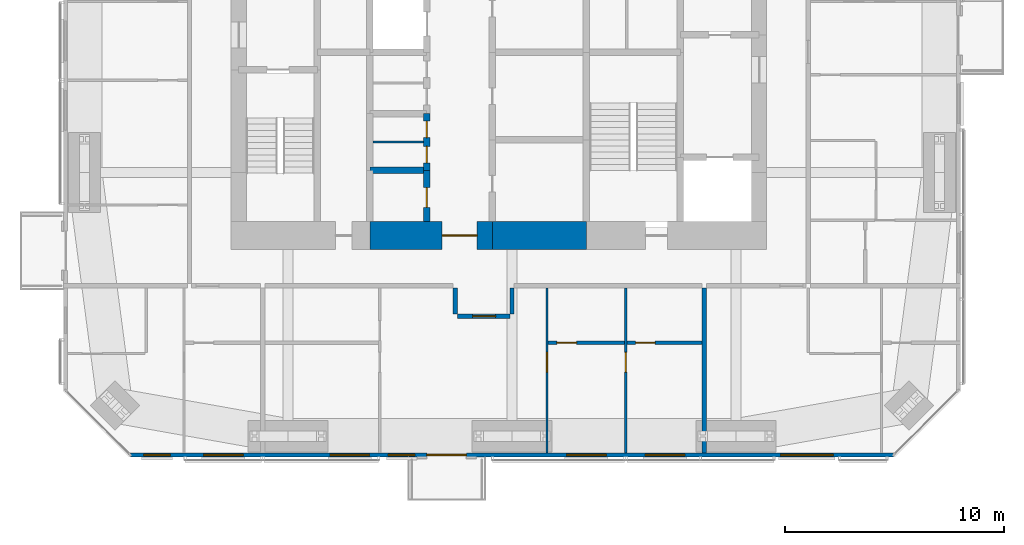
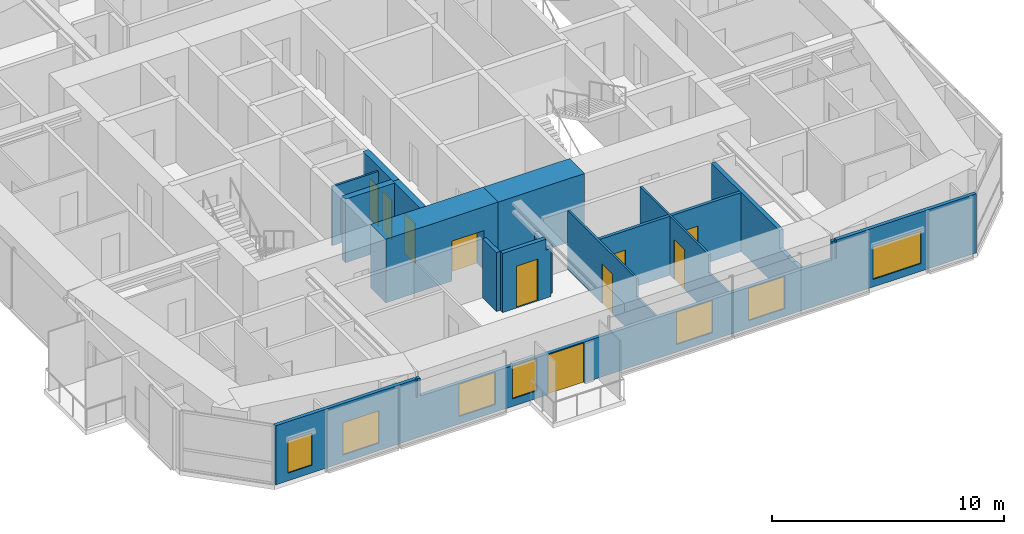
# One storey, part 16 of 23: 15 walls, 10 doors, 7 windows, 17 openings.
"""IFC4 building model written with IfcOpenShell, lengths in metres."""

from ifc_helpers import new_model, si_unit, direction, frame, frame_2d, origin, place, context, subcontext, project, spatial, polyline, rectangle, outline, extrude, material, layer, layer_set, constituent, constituent_set, type_object, element, fill, save


model = new_model("IFC4")

# Units and contexts
model_context = context("Model", 3, precision=1e-05, world=origin(), true_north=direction((0.0, 1.0)))
body_context = subcontext(model_context, "Body", "Model", "MODEL_VIEW")
ifc_project = project(units=[si_unit("LENGTHUNIT", "METRE"), si_unit("AREAUNIT", "SQUARE_METRE"), si_unit("VOLUMEUNIT", "CUBIC_METRE"), si_unit("PLANEANGLEUNIT", "RADIAN"), si_unit("MASSUNIT", "GRAM", prefix="KILO")], contexts=[model_context])

# Site, building, storey
site_placement = place(None, origin())
site = spatial("IfcSite", under=ifc_project, at=site_placement, CompositionType="ELEMENT")
building_placement = place(site_placement, origin())
building = spatial("IfcBuilding", under=site, at=building_placement, Name="Jalousie Tower", CompositionType="ELEMENT")
storey_placement = place(building_placement, frame((0.0, 0.0, 194.550048828125)))
storey = spatial("IfcBuildingStorey", under=building, at=storey_placement, Name="L53", CompositionType="ELEMENT", Elevation=194.550048828125)

# Wall, opening, door
ifc_material_1 = material(Name="Concrete block ASTM C90", Category="concrete")
ifc_constituent_1 = constituent(ifc_material_1, Name="Body")
ifc_material_2 = material(Name="Render")
ifc_constituent_2 = constituent(ifc_material_2, Name="Finish")
ifc_constituent_set_1 = constituent_set(constituents=[ifc_constituent_1, ifc_constituent_2])
wall_type_1 = type_object("IfcWallType", Name="BATHROOM WALL 150", PredefinedType="PLUMBINGWALL", material=ifc_constituent_set_1)
wall_1_placement = place(storey_placement, frame((34.14990234375, 5.22509765625, 0.0), z_axis=(0.0, 0.0, 1.0), x_axis=(1.0, 0.0, 0.0)))
wall_1 = element("IfcWall", 1, at=wall_1_placement, inside=storey, type_object=wall_type_1, Name="Bathroom Wall 150 L53", PredefinedType="PLUMBINGWALL", context=body_context, shape_type="SweptSolid", body=[
    extrude(rectangle(XDim=3.5, YDim=0.14990234375, at=frame_2d((1.75, 0.0))), origin(), (0.0, 0.0, 1.0), 3.10986328125),
])
opening_1_placement = place(wall_1_placement, frame((0.39990234375, 0.0, 0.0)))
opening_1 = element("IfcOpeningElement", 2, at=opening_1_placement, cuts=wall_1, Name="Opening D3", PredefinedType="OPENING", context=body_context, shape_type="SweptSolid", body=[
    extrude(rectangle(XDim=0.89990234375, YDim=2.10009765625, at=frame_2d((0.449951171875, 1.050048828125))), frame((0.0, 0.0849609375, 0.0), z_axis=(0.0, -1.0, 0.0), x_axis=(1.0, 0.0, 0.0)), (0.0, 0.0, 1.0), 0.169921875),
])
ifc_material_3 = material(Name="Timber door", Category="wood")
door_type_1 = type_object("IfcDoorType", Name="BATHROOM DOOR 900", OperationType="SINGLE_SWING_LEFT", PredefinedType="DOOR", material=ifc_material_3)
door_1_placement = place(opening_1_placement, origin())
door_1 = element("IfcDoor", 3, at=door_1_placement, inside=storey, type_object=door_type_1, Name="Apartment 5302 bedroom 2 bathroom door", OperationType="SINGLE_SWING_LEFT", OverallHeight=2.10009765625, OverallWidth=0.89990234375, PredefinedType="DOOR", context=body_context, shape_type="SweptSolid", body=[
    extrude(rectangle(XDim=0.89990234375, YDim=2.10009765625, at=frame_2d((0.449951171875, 1.050048828125))), frame((0.0, 0.02490234375, 0.0), z_axis=(0.0, -1.0, 0.0), x_axis=(1.0, 0.0, 0.0)), (0.0, 0.0, 1.0), 0.050048828125),
])
fill(opening_1, door_1)

wall_2_placement = place(storey_placement, frame((37.75, 5.22509765625, 0.0), z_axis=(0.0, 0.0, 1.0), x_axis=(1.0, 0.0, 0.0)))
wall_2 = element("IfcWall", 4, at=wall_2_placement, inside=storey, type_object=wall_type_1, Name="Bathroom Wall 150 L53", PredefinedType="PLUMBINGWALL", context=body_context, shape_type="SweptSolid", body=[
    extrude(rectangle(XDim=3.449951171875, YDim=0.14990234375, at=frame_2d((1.72509765625, 0.0))), origin(), (0.0, 0.0, 1.0), 3.10986328125),
])
opening_2_placement = place(wall_2_placement, frame((0.39990234375, 0.0, 0.0)))
opening_2 = element("IfcOpeningElement", 5, at=opening_2_placement, cuts=wall_2, Name="Opening D3", PredefinedType="OPENING", context=body_context, shape_type="SweptSolid", body=[
    extrude(rectangle(XDim=0.89990234375, YDim=2.10009765625, at=frame_2d((0.449951171875, 1.050048828125))), frame((0.0, 0.0849609375, 0.0), z_axis=(0.0, -1.0, 0.0), x_axis=(1.0, 0.0, 0.0)), (0.0, 0.0, 1.0), 0.169921875),
])
door_2_placement = place(opening_2_placement, origin())
door_2 = element("IfcDoor", 6, at=door_2_placement, inside=storey, type_object=door_type_1, Name="Apartment 5302 bedroom 3 bathroom door", OperationType="SINGLE_SWING_LEFT", OverallHeight=2.10009765625, OverallWidth=0.89990234375, PredefinedType="DOOR", context=body_context, shape_type="SweptSolid", body=[
    extrude(rectangle(XDim=0.89990234375, YDim=2.10009765625, at=frame_2d((0.449951171875, 1.050048828125))), frame((0.0, 0.02490234375, 0.0), z_axis=(0.0, -1.0, 0.0), x_axis=(1.0, 0.0, 0.0)), (0.0, 0.0, 1.0), 0.050048828125),
])
fill(opening_2, door_2)

ifc_material_4 = material(Name="Concrete f'c 120 MPa", Category="concrete")
ifc_layer_1 = layer(ifc_material_4, 1.300048828125)
ifc_layer_set_1 = layer_set([ifc_layer_1], Name="Concrete f'c 120 MPa")
wall_type_2 = type_object("IfcWallType", Name="CORE WALL 1300", PredefinedType="SHEAR", material=ifc_layer_set_1)
wall_3_placement = place(storey_placement, frame((26.0, 10.125, 0.0), z_axis=(0.0, 0.0, 1.0), x_axis=(1.0, 0.0, 0.0)))
wall_3 = element("IfcWall", 7, at=wall_3_placement, inside=storey, type_object=wall_type_2, Name="Core wall SB L53", PredefinedType="SHEAR", context=body_context, shape_type="SweptSolid", body=[
    extrude(rectangle(XDim=5.60009765625, YDim=1.300048828125, at=frame_2d((2.800048828125, 0.0))), origin(), (0.0, 0.0, 1.0), 3.349853515625),
])
opening_3_placement = place(wall_3_placement, frame((3.300048828125, 0.0, 0.0)))
opening_3 = element("IfcOpeningElement", 8, at=opening_3_placement, cuts=wall_3, Name="Opening D15", PredefinedType="OPENING", context=body_context, shape_type="SweptSolid", body=[
    extrude(rectangle(XDim=1.60009765625, YDim=2.10009765625, at=frame_2d((0.800048828125, 1.050048828125))), frame((0.0, 0.659912109375, 0.0), z_axis=(0.0, -1.0, 0.0), x_axis=(1.0, 0.0, 0.0)), (0.0, 0.0, 1.0), 1.320068359375),
])
ifc_material_5 = material(Name="Steel fire door", Category="steel")
door_type_2 = type_object("IfcDoorType", Name="LIFT LOBBY DOOR 1600", OperationType="DOUBLE_DOOR_SINGLE_SWING", PredefinedType="DOOR", material=ifc_material_5)
door_3_placement = place(opening_3_placement, origin())
door_3 = element("IfcDoor", 9, at=door_3_placement, inside=storey, type_object=door_type_2, Name="Lift lobby south door", OperationType="DOUBLE_DOOR_SINGLE_SWING", OverallHeight=2.10009765625, OverallWidth=1.60009765625, PredefinedType="DOOR", context=body_context, shape_type="SweptSolid", body=[
    extrude(rectangle(XDim=1.60009765625, YDim=2.10009765625, at=frame_2d((0.800048828125, 1.050048828125))), frame((0.0, 0.02490234375, 0.0), z_axis=(0.0, -1.0, 0.0), x_axis=(1.0, 0.0, 0.0)), (0.0, 0.0, 1.0), 0.050048828125),
])
fill(opening_3, door_3)

# Wall
wall_4_placement = place(storey_placement, frame((31.60009765625, 10.125, 0.0), z_axis=(0.0, 0.0, 1.0), x_axis=(1.0, 0.0, 0.0)))
element("IfcWall", 10, at=wall_4_placement, inside=storey, type_object=wall_type_2, Name="Core wall SC L53", PredefinedType="SHEAR", context=body_context, shape_type="SweptSolid", body=[
    extrude(rectangle(XDim=4.2998046875, YDim=1.300048828125, at=frame_2d((2.14990234375, 0.0))), origin(), (0.0, 0.0, 1.0), 3.349853515625),
])

# Wall, opening, door
ifc_material_6 = material(Name="Concrete f'c 120 MPa", Category="concrete")
ifc_layer_2 = layer(ifc_material_6, 0.300048828125)
ifc_layer_set_2 = layer_set([ifc_layer_2], Name="Concrete f'c 120 MPa")
wall_type_3 = type_object("IfcWallType", Name="CORE WALL 300", PredefinedType="SHEAR", material=ifc_layer_set_2)
wall_5_placement = place(storey_placement, frame((28.60009765625, 10.77490234375, 0.0), z_axis=(0.0, 0.0, 1.0), x_axis=(0.0, 1.0, 0.0)))
wall_5 = element("IfcWall", 11, at=wall_5_placement, inside=storey, type_object=wall_type_3, Name="Core wall X28.6A L53", PredefinedType="SHEAR", context=body_context, shape_type="SweptSolid", body=[
    extrude(rectangle(XDim=2.3251953125, YDim=0.300048828125, at=frame_2d((1.16259765625, 0.0))), origin(), (0.0, 0.0, 1.0), 3.349853515625),
])
opening_4_placement = place(wall_5_placement, frame((0.637451171875, 0.0, 0.0)))
opening_4 = element("IfcOpeningElement", 12, at=opening_4_placement, cuts=wall_5, Name="Opening D24", PredefinedType="OPENING", context=body_context, shape_type="SweptSolid", body=[
    extrude(rectangle(XDim=0.89990234375, YDim=2.10009765625, at=frame_2d((0.449951171875, 1.050048828125))), frame((0.0, 0.159912109375, 0.0), z_axis=(0.0, -1.0, 0.0), x_axis=(1.0, 0.0, 0.0)), (0.0, 0.0, 1.0), 0.320068359375),
])
ifc_material_7 = material(Name="Steel fire door", Category="steel")
door_type_3 = type_object("IfcDoorType", Name="CORE ROOM DOOR 900", OperationType="SINGLE_SWING_LEFT", PredefinedType="DOOR", material=ifc_material_7)
door_4_placement = place(opening_4_placement, origin())
door_4 = element("IfcDoor", 13, at=door_4_placement, inside=storey, type_object=door_type_3, Name="Pantry door", OperationType="SINGLE_SWING_RIGHT", OverallHeight=2.10009765625, OverallWidth=0.89990234375, PredefinedType="DOOR", context=body_context, shape_type="SweptSolid", body=[
    extrude(rectangle(XDim=0.89990234375, YDim=2.10009765625, at=frame_2d((0.449951171875, 1.050048828125))), frame((0.0, 0.02490234375, 0.0), z_axis=(0.0, -1.0, 0.0), x_axis=(1.0, 0.0, 0.0)), (0.0, 0.0, 1.0), 0.050048828125),
])
fill(opening_4, door_4)

# Wall, openings, doors
wall_6_placement = place(storey_placement, frame((28.60009765625, 13.10009765625, 0.0), z_axis=(0.0, 0.0, 1.0), x_axis=(0.0, 1.0, 0.0)))
wall_6 = element("IfcWall", 14, at=wall_6_placement, inside=storey, type_object=wall_type_3, Name="Core wall X28.6B L53", PredefinedType="SHEAR", context=body_context, shape_type="SweptSolid", body=[
    extrude(rectangle(XDim=2.599853515625, YDim=0.300048828125, at=frame_2d((1.2998046875, 0.0))), origin(), (0.0, 0.0, 1.0), 3.349853515625),
])
opening_5_placement = place(wall_6_placement, frame((0.35009765625, 0.0, 0.0)))
opening_5 = element("IfcOpeningElement", 15, at=opening_5_placement, cuts=wall_6, Name="Opening D27", PredefinedType="OPENING", context=body_context, shape_type="SweptSolid", body=[
    extrude(rectangle(XDim=0.75, YDim=2.10009765625, at=frame_2d((0.375, 1.050048828125))), frame((0.0, 0.159912109375, 0.0), z_axis=(0.0, -1.0, 0.0), x_axis=(1.0, 0.0, 0.0)), (0.0, 0.0, 1.0), 0.320068359375),
])
opening_6_placement = place(wall_6_placement, frame((1.5, 0.0, 0.0)))
opening_6 = element("IfcOpeningElement", 16, at=opening_6_placement, cuts=wall_6, Name="Opening D27", PredefinedType="OPENING", context=body_context, shape_type="SweptSolid", body=[
    extrude(rectangle(XDim=0.75, YDim=2.10009765625, at=frame_2d((0.375, 1.050048828125))), frame((0.0, 0.159912109375, 0.0), z_axis=(0.0, -1.0, 0.0), x_axis=(1.0, 0.0, 0.0)), (0.0, 0.0, 1.0), 0.320068359375),
])
ifc_material_8 = material(Name="Steel fire door", Category="steel")
door_type_4 = type_object("IfcDoorType", Name="CORE ROOM DOOR 750", OperationType="SINGLE_SWING_LEFT", PredefinedType="DOOR", material=ifc_material_8)
door_5_placement = place(opening_5_placement, origin())
door_5 = element("IfcDoor", 17, at=door_5_placement, inside=storey, type_object=door_type_4, Name="IT room door", OperationType="SINGLE_SWING_RIGHT", OverallHeight=2.10009765625, OverallWidth=0.75, PredefinedType="DOOR", context=body_context, shape_type="SweptSolid", body=[
    extrude(rectangle(XDim=0.75, YDim=2.10009765625, at=frame_2d((0.375, 1.050048828125))), frame((0.0, 0.02490234375, 0.0), z_axis=(0.0, -1.0, 0.0), x_axis=(1.0, 0.0, 0.0)), (0.0, 0.0, 1.0), 0.050048828125),
])
fill(opening_5, door_5)
door_6_placement = place(opening_6_placement, origin())
door_6 = element("IfcDoor", 18, at=door_6_placement, inside=storey, type_object=door_type_4, Name="Store door", OperationType="SINGLE_SWING_LEFT", OverallHeight=2.10009765625, OverallWidth=0.75, PredefinedType="DOOR", context=body_context, shape_type="SweptSolid", body=[
    extrude(rectangle(XDim=0.75, YDim=2.10009765625, at=frame_2d((0.375, 1.050048828125))), frame((0.0, 0.02490234375, 0.0), z_axis=(0.0, -1.0, 0.0), x_axis=(1.0, 0.0, 0.0)), (0.0, 0.0, 1.0), 0.050048828125),
])
fill(opening_6, door_6)

# Wall
wall_7_placement = place(storey_placement, frame((26.0, 13.10009765625, 0.0), z_axis=(0.0, 0.0, 1.0), x_axis=(1.0, 0.0, 0.0)))
element("IfcWall", 19, at=wall_7_placement, inside=storey, type_object=wall_type_3, Name="Core wall Y26-13.1 L53", PredefinedType="SHEAR", context=body_context, shape_type="SweptSolid", body=[
    extrude(rectangle(XDim=2.60009765625, YDim=0.300048828125, at=frame_2d((1.300048828125, 0.0))), origin(), (0.0, 0.0, 1.0), 3.349853515625),
])

# Wall, opening, door
ifc_material_9 = material(Name="Concrete block ASTM C90", Category="concrete")
ifc_constituent_3 = constituent(ifc_material_9, Name="Body")
ifc_material_10 = material(Name="Render")
ifc_constituent_4 = constituent(ifc_material_10, Name="Finish")
ifc_constituent_set_2 = constituent_set(constituents=[ifc_constituent_3, ifc_constituent_4])
wall_type_4 = type_object("IfcWallType", Name="CORRIDOR WALL 200", PredefinedType="PARTITIONING", material=ifc_constituent_set_2)
wall_8_placement = place(storey_placement, frame((30.0, 6.425048828125, 0.0), z_axis=(0.0, 0.0, 1.0), x_axis=(1.0, 0.0, 0.0)))
wall_8 = element("IfcWall", 20, at=wall_8_placement, inside=storey, type_object=wall_type_4, Name="Corridor Wall 200 L53", PredefinedType="PARTITIONING", context=body_context, shape_type="SweptSolid", body=[
    extrude(outline(polyline([(0.0, 0.0), (2.39990234375, 0.0), (2.39990234375, 3.10986328125), (2.39990234375, 2.541015625), (2.16259765625, 2.541015625), (2.16259765625, 3.10986328125), (0.0, 3.10986328125), (0.0, 0.0)])), frame((0.0, 0.10009765625, 0.0), z_axis=(0.0, -1.0, 0.0), x_axis=(1.0, 0.0, 0.0)), (0.0, 0.0, 1.0), 0.199951171875),
])
opening_7_placement = place(wall_8_placement, frame((0.699951171875, 0.0, 0.0)))
opening_7 = element("IfcOpeningElement", 21, at=opening_7_placement, cuts=wall_8, Name="Opening D1", PredefinedType="OPENING", context=body_context, shape_type="SweptSolid", body=[
    extrude(rectangle(XDim=1.050048828125, YDim=2.199951171875, at=frame_2d((0.52490234375, 1.10009765625))), frame((0.0, 0.10986328125, 0.0), z_axis=(0.0, -1.0, 0.0), x_axis=(1.0, 0.0, 0.0)), (0.0, 0.0, 1.0), 0.219970703125),
])
ifc_material_11 = material(Name="Timber fire door", Category="wood")
door_type_5 = type_object("IfcDoorType", Name="APARTMENT ENTRANCE DOOR 1050", OperationType="SINGLE_SWING_LEFT", PredefinedType="DOOR", material=ifc_material_11)
door_7_placement = place(opening_7_placement, frame((1.050048828125, 0.0, 0.0), z_axis=(0.0, 0.0, 1.0), x_axis=(-1.0, 0.0, 0.0)))
door_7 = element("IfcDoor", 22, at=door_7_placement, inside=storey, type_object=door_type_5, Name="Apartment 5302 entrance", OperationType="SINGLE_SWING_LEFT", OverallHeight=2.199951171875, OverallWidth=1.050048828125, PredefinedType="DOOR", context=body_context, shape_type="SweptSolid", body=[
    extrude(rectangle(XDim=1.050048828125, YDim=2.199951171875, at=frame_2d((0.52490234375, 1.10009765625))), frame((0.0, 0.02490234375, 0.0), z_axis=(0.0, -1.0, 0.0), x_axis=(1.0, 0.0, 0.0)), (0.0, 0.0, 1.0), 0.050048828125),
])
fill(opening_7, door_7)

# Walls
wall_9_placement = place(storey_placement, frame((29.89990234375, 7.72509765625, 0.0), z_axis=(0.0, 0.0, 1.0), x_axis=(0.0, -1.0, 0.0)))
element("IfcWall", 23, at=wall_9_placement, inside=storey, type_object=wall_type_4, Name="Corridor Wall 200 L53", PredefinedType="PARTITIONING", context=body_context, shape_type="SweptSolid", body=[
    extrude(rectangle(XDim=1.2001953125, YDim=0.199951171875, at=frame_2d((0.60009765625, 0.0))), origin(), (0.0, 0.0, 1.0), 3.10986328125),
])
wall_10_placement = place(storey_placement, frame((32.5, 7.72509765625, 0.0), z_axis=(0.0, 0.0, 1.0), x_axis=(0.0, -1.0, 0.0)))
element("IfcWall", 24, at=wall_10_placement, inside=storey, type_object=wall_type_4, Name="Corridor Wall 200 L53", PredefinedType="PARTITIONING", context=body_context, shape_type="SweptSolid", body=[
    extrude(outline(polyline([(0.0, 0.0), (1.2001953125, 0.0), (1.199951171875, 3.10986328125), (1.199951171875, 2.541015625), (0.0, 2.541015625), (0.0, 3.10986328125), (0.0, 0.0)])), frame((0.0, 0.10009765625, 0.0), z_axis=(0.0, -1.0, 0.0), x_axis=(1.0, 0.0, 0.0)), (0.0, 0.0, 1.0), 0.199951171875),
])

# Wall, openings, door, windows
ifc_material_12 = material(Name="Concrete f'c 40 MPa", Category="concrete")
ifc_constituent_5 = constituent(ifc_material_12, Name="Body")
ifc_material_13 = material(Name="Render, pastel lemon")
ifc_constituent_6 = constituent(ifc_material_13, Name="Finish")
ifc_constituent_set_3 = constituent_set(constituents=[ifc_constituent_5, ifc_constituent_6])
wall_type_5 = type_object("IfcWallType", Name="EXTERNAL WALL 175 LEMON RENDER", PredefinedType="SOLIDWALL", material=ifc_constituent_set_3)
wall_11_placement = place(storey_placement, frame((15.05126953125, 0.08740234375, 0.0), z_axis=(0.0, 0.0, 1.0), x_axis=(1.0, 0.0, 0.0)))
wall_11 = element("IfcWall", 25, at=wall_11_placement, inside=storey, type_object=wall_type_5, Name="External Wall 175 Lemon Render L53", PredefinedType="SOLIDWALL", context=body_context, shape_type="SweptSolid", body=[
    extrude(outline(polyline([(0.0, 0.0), (34.8974609375, 0.0), (34.8974609375, 3.10986328125), (27.91015625, 3.10986328125), (27.91015625, 2.14990234375), (27.8359375, 2.14990234375), (27.8359375, 3.10986328125), (27.69873046875, 3.10986328125), (27.69873046875, 2.14990234375), (7.19873046875, 2.14990234375), (7.19873046875, 3.10986328125), (7.0615234375, 3.10986328125), (7.0615234375, 2.14990234375), (6.9873046875, 2.14990234375), (6.9873046875, 3.10986328125), (0.0, 3.10986328125), (0.0, 0.0)])), frame((0.0, 0.08740234375, 0.0), z_axis=(0.0, -1.0, 0.0), x_axis=(1.0, 0.0, 0.0)), (0.0, 0.0, 1.0), 0.175048828125),
])
opening_8_placement = place(wall_11_placement, frame((0.612548828125, 0.0, 0.39990234375)))
opening_8 = element("IfcOpeningElement", 26, at=opening_8_placement, cuts=wall_11, Name="Opening W-COR170", PredefinedType="OPENING", context=body_context, shape_type="SweptSolid", body=[
    extrude(rectangle(XDim=1.199951171875, YDim=1.699951171875, at=frame_2d((0.60009765625, 0.85009765625))), frame((0.0, 0.097412109375, 0.0), z_axis=(0.0, -1.0, 0.0), x_axis=(1.0, 0.0, 0.0)), (0.0, 0.0, 1.0), 0.195068359375),
])
opening_9_placement = place(wall_11_placement, frame((3.3486328125, 0.0, 0.39990234375)))
opening_9 = element("IfcOpeningElement", 27, at=opening_9_placement, cuts=wall_11, Name="Opening W-BED170", PredefinedType="OPENING", context=body_context, shape_type="SweptSolid", body=[
    extrude(rectangle(XDim=1.800048828125, YDim=1.699951171875, at=frame_2d((0.89990234375, 0.85009765625))), frame((0.0, 0.097412109375, 0.0), z_axis=(0.0, -1.0, 0.0), x_axis=(1.0, 0.0, 0.0)), (0.0, 0.0, 1.0), 0.195068359375),
])
opening_10_placement = place(wall_11_placement, frame((9.1298828125, 0.0, 0.39990234375)))
opening_10 = element("IfcOpeningElement", 28, at=opening_10_placement, cuts=wall_11, Name="Opening W-BED170", PredefinedType="OPENING", context=body_context, shape_type="SweptSolid", body=[
    extrude(rectangle(XDim=1.800048828125, YDim=1.699951171875, at=frame_2d((0.89990234375, 0.85009765625))), frame((0.0, 0.097412109375, 0.0), z_axis=(0.0, -1.0, 0.0), x_axis=(1.0, 0.0, 0.0)), (0.0, 0.0, 1.0), 0.195068359375),
])
opening_11_placement = place(wall_11_placement, frame((13.561279296875, 0.0, 0.0)))
opening_11 = element("IfcOpeningElement", 29, at=opening_11_placement, cuts=wall_11, Name="Opening D-BAL21", PredefinedType="OPENING", context=body_context, shape_type="SweptSolid", body=[
    extrude(rectangle(XDim=1.800048828125, YDim=2.10009765625, at=frame_2d((0.89990234375, 1.050048828125))), frame((0.0, 0.097412109375, 0.0), z_axis=(0.0, -1.0, 0.0), x_axis=(1.0, 0.0, 0.0)), (0.0, 0.0, 1.0), 0.195068359375),
])
opening_12_placement = place(wall_11_placement, frame((11.798583984375, 0.0, 0.39990234375)))
opening_12 = element("IfcOpeningElement", 30, at=opening_12_placement, cuts=wall_11, Name="Opening W-COR170", PredefinedType="OPENING", context=body_context, shape_type="SweptSolid", body=[
    extrude(rectangle(XDim=1.199951171875, YDim=1.699951171875, at=frame_2d((0.60009765625, 0.85009765625))), frame((0.0, 0.097412109375, 0.0), z_axis=(0.0, -1.0, 0.0), x_axis=(1.0, 0.0, 0.0)), (0.0, 0.0, 1.0), 0.195068359375),
])
opening_13_placement = place(wall_11_placement, frame((19.94873046875, 0.0, 0.39990234375)))
opening_13 = element("IfcOpeningElement", 31, at=opening_13_placement, cuts=wall_11, Name="Opening W-BED170", PredefinedType="OPENING", context=body_context, shape_type="SweptSolid", body=[
    extrude(rectangle(XDim=1.800048828125, YDim=1.699951171875, at=frame_2d((0.89990234375, 0.85009765625))), frame((0.0, 0.097412109375, 0.0), z_axis=(0.0, -1.0, 0.0), x_axis=(1.0, 0.0, 0.0)), (0.0, 0.0, 1.0), 0.195068359375),
])
opening_14_placement = place(wall_11_placement, frame((23.548583984375, 0.0, 0.39990234375)))
opening_14 = element("IfcOpeningElement", 32, at=opening_14_placement, cuts=wall_11, Name="Opening W-BED170", PredefinedType="OPENING", context=body_context, shape_type="SweptSolid", body=[
    extrude(rectangle(XDim=1.800048828125, YDim=1.699951171875, at=frame_2d((0.89990234375, 0.85009765625))), frame((0.0, 0.097412109375, 0.0), z_axis=(0.0, -1.0, 0.0), x_axis=(1.0, 0.0, 0.0)), (0.0, 0.0, 1.0), 0.195068359375),
])
opening_15_placement = place(wall_11_placement, frame((29.72998046875, 0.0, 0.39990234375)))
opening_15 = element("IfcOpeningElement", 33, at=opening_15_placement, cuts=wall_11, Name="Opening W-LIV170", PredefinedType="OPENING", context=body_context, shape_type="SweptSolid", body=[
    extrude(rectangle(XDim=2.39990234375, YDim=1.699951171875, at=frame_2d((1.199951171875, 0.85009765625))), frame((0.0, 0.097412109375, 0.0), z_axis=(0.0, -1.0, 0.0), x_axis=(1.0, 0.0, 0.0)), (0.0, 0.0, 1.0), 0.195068359375),
])
ifc_material_14 = material(Name="Aluminium frame, impact-rated glazing", Category="aluminium")
door_type_6 = type_object("IfcDoorType", Name="BALCONY DOOR 1800x2100", OperationType="SLIDING_TO_LEFT", PredefinedType="DOOR", material=ifc_material_14)
door_8_placement = place(opening_11_placement, origin())
door_8 = element("IfcDoor", 34, at=door_8_placement, inside=storey, type_object=door_type_6, Name="Apartment 5302 living, dining and kitchen balcony door", OperationType="SLIDING_TO_LEFT", OverallHeight=2.10009765625, OverallWidth=1.800048828125, PredefinedType="DOOR", context=body_context, shape_type="SweptSolid", body=[
    extrude(rectangle(XDim=1.800048828125, YDim=2.10009765625, at=frame_2d((0.89990234375, 1.050048828125))), frame((0.0, 0.02490234375, 0.0), z_axis=(0.0, -1.0, 0.0), x_axis=(1.0, 0.0, 0.0)), (0.0, 0.0, 1.0), 0.050048828125),
])
fill(opening_11, door_8)
ifc_material_15 = material(Name="Aluminium frame, impact-rated glazing", Category="aluminium")
window_type_1 = type_object("IfcWindowType", Name="WINDOW BED 1800x1700", PartitioningType="SINGLE_PANEL", PredefinedType="WINDOW", material=ifc_material_15)
window_1_placement = place(opening_9_placement, origin())
window_1 = element("IfcWindow", 35, at=window_1_placement, inside=storey, type_object=window_type_1, Name="Apartment 5301 bedroom 1 window", OverallHeight=1.699951171875, OverallWidth=1.800048828125, PartitioningType="SINGLE_PANEL", PredefinedType="WINDOW", context=body_context, shape_type="SweptSolid", body=[
    extrude(rectangle(XDim=1.800048828125, YDim=1.699951171875, at=frame_2d((0.89990234375, 0.85009765625))), frame((0.0, 0.030029296875, 0.0), z_axis=(0.0, -1.0, 0.0), x_axis=(1.0, 0.0, 0.0)), (0.0, 0.0, 1.0), 0.06005859375),
])
fill(opening_9, window_1)
window_2_placement = place(opening_10_placement, origin())
window_2 = element("IfcWindow", 36, at=window_2_placement, inside=storey, type_object=window_type_1, Name="Apartment 5302 bedroom 1 window", OverallHeight=1.699951171875, OverallWidth=1.800048828125, PartitioningType="SINGLE_PANEL", PredefinedType="WINDOW", context=body_context, shape_type="SweptSolid", body=[
    extrude(rectangle(XDim=1.800048828125, YDim=1.699951171875, at=frame_2d((0.89990234375, 0.85009765625))), frame((0.0, 0.030029296875, 0.0), z_axis=(0.0, -1.0, 0.0), x_axis=(1.0, 0.0, 0.0)), (0.0, 0.0, 1.0), 0.06005859375),
])
fill(opening_10, window_2)
window_3_placement = place(opening_13_placement, origin())
window_3 = element("IfcWindow", 37, at=window_3_placement, inside=storey, type_object=window_type_1, Name="Apartment 5302 bedroom 2 window", OverallHeight=1.699951171875, OverallWidth=1.800048828125, PartitioningType="SINGLE_PANEL", PredefinedType="WINDOW", context=body_context, shape_type="SweptSolid", body=[
    extrude(rectangle(XDim=1.800048828125, YDim=1.699951171875, at=frame_2d((0.89990234375, 0.85009765625))), frame((0.0, 0.030029296875, 0.0), z_axis=(0.0, -1.0, 0.0), x_axis=(1.0, 0.0, 0.0)), (0.0, 0.0, 1.0), 0.06005859375),
])
fill(opening_13, window_3)
window_4_placement = place(opening_14_placement, origin())
window_4 = element("IfcWindow", 38, at=window_4_placement, inside=storey, type_object=window_type_1, Name="Apartment 5302 bedroom 3 window", OverallHeight=1.699951171875, OverallWidth=1.800048828125, PartitioningType="SINGLE_PANEL", PredefinedType="WINDOW", context=body_context, shape_type="SweptSolid", body=[
    extrude(rectangle(XDim=1.800048828125, YDim=1.699951171875, at=frame_2d((0.89990234375, 0.85009765625))), frame((0.0, 0.030029296875, 0.0), z_axis=(0.0, -1.0, 0.0), x_axis=(1.0, 0.0, 0.0)), (0.0, 0.0, 1.0), 0.06005859375),
])
fill(opening_14, window_4)
ifc_material_16 = material(Name="Aluminium frame, impact-rated glazing", Category="aluminium")
window_type_2 = type_object("IfcWindowType", Name="WINDOW COR 1200x1700", PartitioningType="SINGLE_PANEL", PredefinedType="WINDOW", material=ifc_material_16)
window_5_placement = place(opening_8_placement, origin())
window_5 = element("IfcWindow", 39, at=window_5_placement, inside=storey, type_object=window_type_2, Name="Apartment 5301 living and dining room window", OverallHeight=1.699951171875, OverallWidth=1.199951171875, PartitioningType="SINGLE_PANEL", PredefinedType="WINDOW", context=body_context, shape_type="SweptSolid", body=[
    extrude(rectangle(XDim=1.199951171875, YDim=1.699951171875, at=frame_2d((0.60009765625, 0.85009765625))), frame((0.0, 0.030029296875, 0.0), z_axis=(0.0, -1.0, 0.0), x_axis=(1.0, 0.0, 0.0)), (0.0, 0.0, 1.0), 0.06005859375),
])
fill(opening_8, window_5)
window_6_placement = place(opening_12_placement, origin())
window_6 = element("IfcWindow", 40, at=window_6_placement, inside=storey, type_object=window_type_2, Name="Apartment 5302 living, dining and kitchen window", OverallHeight=1.699951171875, OverallWidth=1.199951171875, PartitioningType="SINGLE_PANEL", PredefinedType="WINDOW", context=body_context, shape_type="SweptSolid", body=[
    extrude(rectangle(XDim=1.199951171875, YDim=1.699951171875, at=frame_2d((0.60009765625, 0.85009765625))), frame((0.0, 0.030029296875, 0.0), z_axis=(0.0, -1.0, 0.0), x_axis=(1.0, 0.0, 0.0)), (0.0, 0.0, 1.0), 0.06005859375),
])
fill(opening_12, window_6)
ifc_material_17 = material(Name="Aluminium frame, impact-rated glazing", Category="aluminium")
window_type_3 = type_object("IfcWindowType", Name="WINDOW LIV 2400x1700", PartitioningType="DOUBLE_PANEL_VERTICAL", PredefinedType="WINDOW", material=ifc_material_17)
window_7_placement = place(opening_15_placement, origin())
window_7 = element("IfcWindow", 41, at=window_7_placement, inside=storey, type_object=window_type_3, Name="Apartment 5303 living and dining room window", OverallHeight=1.699951171875, OverallWidth=2.39990234375, PartitioningType="SINGLE_PANEL", PredefinedType="WINDOW", context=body_context, shape_type="SweptSolid", body=[
    extrude(rectangle(XDim=2.39990234375, YDim=1.699951171875, at=frame_2d((1.199951171875, 0.85009765625))), frame((0.0, 0.030029296875, 0.0), z_axis=(0.0, -1.0, 0.0), x_axis=(1.0, 0.0, 0.0)), (0.0, 0.0, 1.0), 0.06005859375),
])
fill(opening_15, window_7)

# Wall, opening, door
ifc_material_18 = material(Name="Gypsum board", Category="gypsum")
ifc_constituent_7 = constituent(ifc_material_18, Name="Body")
ifc_material_19 = material(Name="Light-gauge steel studs ASTM A653 SS Grade 33", Category="steel")
ifc_constituent_8 = constituent(ifc_material_19, Name="Framing")
ifc_constituent_set_4 = constituent_set(constituents=[ifc_constituent_7, ifc_constituent_8])
wall_type_6 = type_object("IfcWallType", Name="PARTITION 100", PredefinedType="PARTITIONING", material=ifc_constituent_set_4)
wall_12_placement = place(storey_placement, frame((34.10009765625, 0.175048828125, 0.0), z_axis=(0.0, 0.0, 1.0), x_axis=(0.0, 1.0, 0.0)))
wall_12 = element("IfcWall", 42, at=wall_12_placement, inside=storey, type_object=wall_type_6, Name="Partition 100 L53", PredefinedType="PARTITIONING", context=body_context, shape_type="SweptSolid", body=[
    extrude(outline(polyline([(0.0, 0.0), (7.550048828125, 0.0), (7.550048828125, 3.10986328125), (1.635009765625, 3.10986328125), (1.635009765625, 2.14990234375), (0.0, 2.14990234375), (0.0, 3.10986328125), (0.0, 0.0)])), frame((0.0, 0.050048828125, 0.0), z_axis=(0.0, -1.0, 0.0), x_axis=(1.0, 0.0, 0.0)), (0.0, 0.0, 1.0), 0.10009765625),
])
opening_16_placement = place(wall_12_placement, frame((3.699951171875, 0.0, 0.0)))
opening_16 = element("IfcOpeningElement", 43, at=opening_16_placement, cuts=wall_12, Name="Opening D2", PredefinedType="OPENING", context=body_context, shape_type="SweptSolid", body=[
    extrude(rectangle(XDim=0.89990234375, YDim=2.10009765625, at=frame_2d((0.449951171875, 1.050048828125))), frame((0.0, 0.06005859375, 0.0), z_axis=(0.0, -1.0, 0.0), x_axis=(1.0, 0.0, 0.0)), (0.0, 0.0, 1.0), 0.1201171875),
])
ifc_material_20 = material(Name="Timber door", Category="wood")
door_type_7 = type_object("IfcDoorType", Name="BEDROOM DOOR 900", OperationType="SINGLE_SWING_LEFT", PredefinedType="DOOR", material=ifc_material_20)
door_9_placement = place(opening_16_placement, frame((0.89990234375, 0.0, 0.0), z_axis=(0.0, 0.0, 1.0), x_axis=(-1.0, 0.0, 0.0)))
door_9 = element("IfcDoor", 44, at=door_9_placement, inside=storey, type_object=door_type_7, Name="Apartment 5302 bedroom 2 door", OperationType="SINGLE_SWING_LEFT", OverallHeight=2.10009765625, OverallWidth=0.89990234375, PredefinedType="DOOR", context=body_context, shape_type="SweptSolid", body=[
    extrude(rectangle(XDim=0.89990234375, YDim=2.10009765625, at=frame_2d((0.449951171875, 1.050048828125))), frame((0.0, 0.02490234375, 0.0), z_axis=(0.0, -1.0, 0.0), x_axis=(1.0, 0.0, 0.0)), (0.0, 0.0, 1.0), 0.050048828125),
])
fill(opening_16, door_9)

wall_13_placement = place(storey_placement, frame((37.699951171875, 0.175048828125, 0.0), z_axis=(0.0, 0.0, 1.0), x_axis=(0.0, 1.0, 0.0)))
wall_13 = element("IfcWall", 45, at=wall_13_placement, inside=storey, type_object=wall_type_6, Name="Partition 100 L53", PredefinedType="PARTITIONING", context=body_context, shape_type="SweptSolid", body=[
    extrude(outline(polyline([(0.0, 0.0), (7.550048828125, 0.0), (7.550048828125, 3.10986328125), (1.635009765625, 3.10986328125), (1.635009765625, 2.14990234375), (0.0, 2.14990234375), (0.0, 3.10986328125), (0.0, 0.0)])), frame((0.0, 0.050048828125, 0.0), z_axis=(0.0, -1.0, 0.0), x_axis=(1.0, 0.0, 0.0)), (0.0, 0.0, 1.0), 0.10009765625),
])
opening_17_placement = place(wall_13_placement, frame((3.699951171875, 0.0, 0.0)))
opening_17 = element("IfcOpeningElement", 46, at=opening_17_placement, cuts=wall_13, Name="Opening D2", PredefinedType="OPENING", context=body_context, shape_type="SweptSolid", body=[
    extrude(rectangle(XDim=0.89990234375, YDim=2.10009765625, at=frame_2d((0.449951171875, 1.050048828125))), frame((0.0, 0.06005859375, 0.0), z_axis=(0.0, -1.0, 0.0), x_axis=(1.0, 0.0, 0.0)), (0.0, 0.0, 1.0), 0.1201171875),
])
door_10_placement = place(opening_17_placement, origin())
door_10 = element("IfcDoor", 47, at=door_10_placement, inside=storey, type_object=door_type_7, Name="Apartment 5302 bedroom 3 door", OperationType="SINGLE_SWING_RIGHT", OverallHeight=2.10009765625, OverallWidth=0.89990234375, PredefinedType="DOOR", context=body_context, shape_type="SweptSolid", body=[
    extrude(rectangle(XDim=0.89990234375, YDim=2.10009765625, at=frame_2d((0.449951171875, 1.050048828125))), frame((0.0, 0.02490234375, 0.0), z_axis=(0.0, -1.0, 0.0), x_axis=(1.0, 0.0, 0.0)), (0.0, 0.0, 1.0), 0.050048828125),
])
fill(opening_17, door_10)

# Walls
wall_14_placement = place(storey_placement, frame((26.14990234375, 14.39990234375, 0.0), z_axis=(0.0, 0.0, 1.0), x_axis=(1.0, 0.0, 0.0)))
element("IfcWall", 48, at=wall_14_placement, inside=storey, type_object=wall_type_6, Name="Partition 100 L53", PredefinedType="PARTITIONING", context=body_context, shape_type="SweptSolid", body=[
    extrude(rectangle(XDim=2.300048828125, YDim=0.10009765625, at=frame_2d((1.14990234375, 0.0))), origin(), (0.0, 0.0, 1.0), 3.10986328125),
])
ifc_material_21 = material(Name="Concrete block ASTM C90", Category="concrete")
ifc_constituent_9 = constituent(ifc_material_21, Name="Body")
ifc_material_22 = material(Name="Render")
ifc_constituent_10 = constituent(ifc_material_22, Name="Finish")
ifc_constituent_set_5 = constituent_set(constituents=[ifc_constituent_9, ifc_constituent_10])
wall_type_7 = type_object("IfcWallType", Name="PARTY WALL 200", PredefinedType="PARTITIONING", material=ifc_constituent_set_5)
wall_15_placement = place(storey_placement, frame((41.300048828125, 0.175048828125, 0.0), z_axis=(0.0, 0.0, 1.0), x_axis=(0.0, 1.0, 0.0)))
element("IfcWall", 49, at=wall_15_placement, inside=storey, type_object=wall_type_7, Name="Party Wall 200 L53", PredefinedType="PARTITIONING", context=body_context, shape_type="SweptSolid", body=[
    extrude(outline(polyline([(0.52880859375, 2.14990234375), (0.0, 2.14990234375), (0.0, 0.0), (0.52880859375, 0.0), (0.52880859375, 0.0322265625), (1.021240234375, 0.0322265625), (1.021240234375, 0.0), (7.550048828125, 0.0), (7.550048828125, 3.10986328125), (1.68505859375, 3.10986328125), (1.68505859375, 2.14990234375), (1.021240234375, 2.14990234375), (1.021240234375, 2.11767578125), (0.52880859375, 2.11767578125), (0.52880859375, 2.14990234375)])), frame((0.0, 0.10009765625, 0.0), z_axis=(0.0, -1.0, 0.0), x_axis=(1.0, 0.0, 0.0)), (0.0, 0.0, 1.0), 0.199951171875),
])

save(model, "model.ifc")
